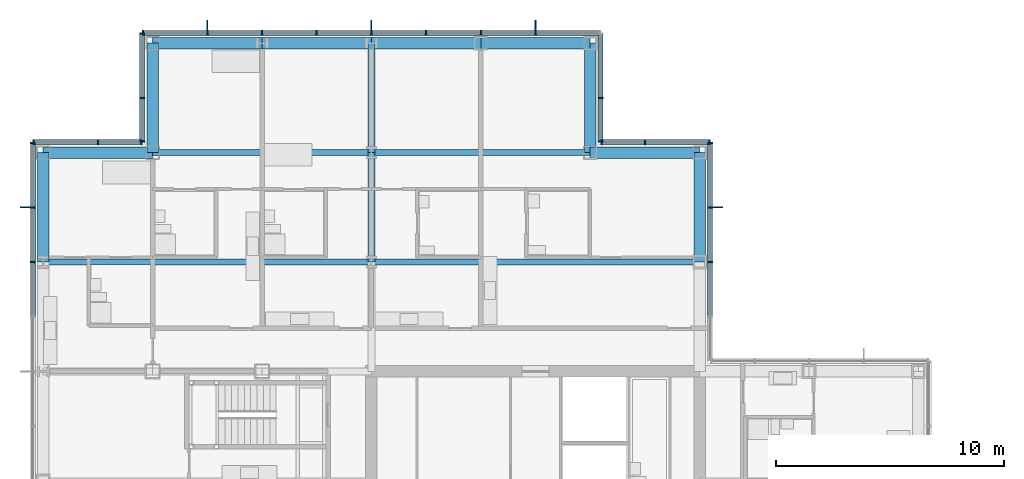
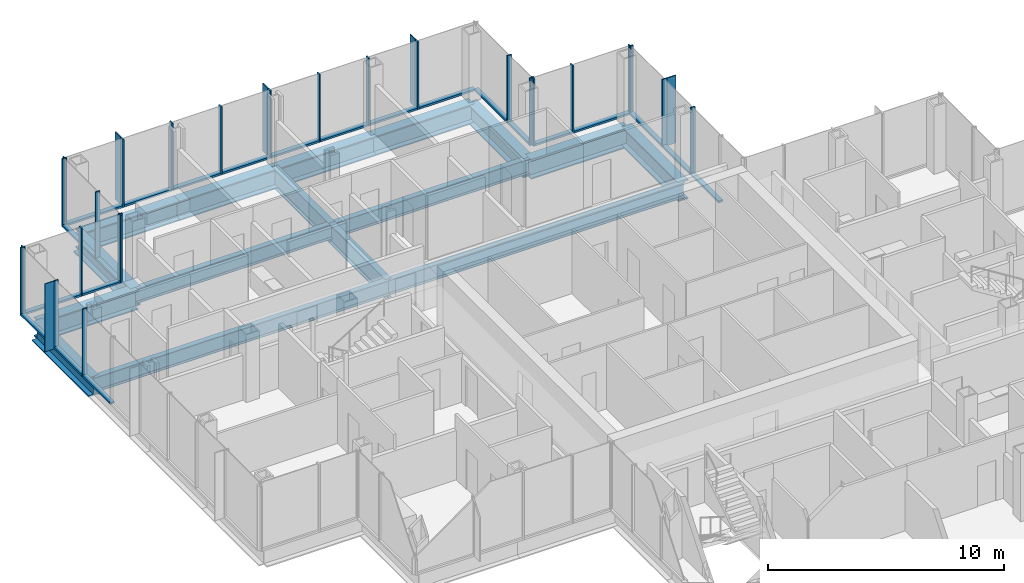
# One storey, part 10 of 20: 52 members, 16 beams, 7 elements without a shape of their own.
"""IFC4 building model written with IfcOpenShell, lengths in metres."""

from ifc_helpers import new_model, si_unit, direction, frame, origin, origin_2d, place, context, subcontext, project, spatial, rectangle, i_section, extrude, material, material_profile, profile_set, type_object, element, aggregate, save


model = new_model("IFC4")

# Units and contexts
model_context = context("Model", 3, precision=1e-05, world=origin(), true_north=direction((0.0, 1.0)))
body_context = subcontext(model_context, "Body", "Model", "MODEL_VIEW")
ifc_project = project(units=[si_unit("LENGTHUNIT", "METRE"), si_unit("AREAUNIT", "SQUARE_METRE"), si_unit("VOLUMEUNIT", "CUBIC_METRE"), si_unit("PLANEANGLEUNIT", "RADIAN"), si_unit("MASSUNIT", "GRAM", prefix="KILO")], contexts=[model_context])

# Site, building, storey
site_placement = place(None, origin())
site = spatial("IfcSite", under=ifc_project, at=site_placement, CompositionType="ELEMENT")
building_placement = place(site_placement, origin())
building = spatial("IfcBuilding", under=site, at=building_placement, Name="Kvirike Care Tower", CompositionType="ELEMENT")
storey_placement = place(building_placement, frame((0.0, 0.0, 112.0)))
storey = spatial("IfcBuildingStorey", under=building, at=storey_placement, Name="L30", CompositionType="ELEMENT", Elevation=112.0)

# Curtain wall, member
ifc_material_1 = material(Name="Anodised aluminium stick system", Category="aluminium")
curtain_wall_type = type_object("IfcCurtainWallType", Name="CW-B STICK CURTAIN WALL", PredefinedType="NOTDEFINED", material=ifc_material_1)
curtain_wall_1_placement = place(storey_placement, origin())
curtain_wall_1 = element("IfcCurtainWall", 1, at=curtain_wall_1_placement, inside=storey, type_object=curtain_wall_type, Name="Curtain wall L30 face 5", PredefinedType="NOTDEFINED")
ifc_material_2 = material(Name="Bronze anodised aluminium fin", Category="aluminium")
ifc_material_profile_1 = material_profile(ifc_material_2, rectangle(XDim=0.050048828125, YDim=0.449951171875, at=origin_2d()), Name="BRONZE FIN 450")
ifc_profile_set_1 = profile_set([ifc_material_profile_1], Name="Bronze anodised aluminium fin")
member_type_1 = type_object("IfcMemberType", Name="BRONZE FIN 450", PredefinedType="USERDEFINED", material=ifc_profile_set_1)
member_1_placement = place(storey_placement, frame((29.594970703125, 50.39990234375, 0.0), z_axis=(0.0, 0.0, 1.0), x_axis=(0.0, 1.0, 0.0)))
member_1 = element("IfcMember", 2, at=member_1_placement, type_object=member_type_1, Name="Bronze fin L30 face 5.4", ObjectType="FIN", PredefinedType="USERDEFINED", context=body_context, shape_type="SweptSolid", body=[
    extrude(rectangle(XDim=0.050048828125, YDim=0.449951171875, at=origin_2d()), origin(), (0.0, 0.0, 1.0), 3.5),
])

# Curtain wall, members
curtain_wall_2_placement = place(storey_placement, origin())
curtain_wall_2 = element("IfcCurtainWall", 3, at=curtain_wall_2_placement, inside=storey, type_object=curtain_wall_type, Name="Curtain wall L30 face 8", PredefinedType="NOTDEFINED")
member_2_placement = place(storey_placement, frame((21.60009765625, 58.39501953125, 0.0), z_axis=(0.0, 0.0, 1.0), x_axis=(-1.0, 0.0, 0.0)))
member_2 = element("IfcMember", 4, at=member_2_placement, type_object=member_type_1, Name="Bronze fin L30 face 8.2", ObjectType="FIN", PredefinedType="USERDEFINED", context=body_context, shape_type="SweptSolid", body=[
    extrude(rectangle(XDim=0.050048828125, YDim=0.449951171875, at=origin_2d()), origin(), (0.0, 0.0, 1.0), 3.5),
])
member_3_placement = place(storey_placement, frame((14.39990234375, 58.39501953125, 0.0), z_axis=(0.0, 0.0, 1.0), x_axis=(-1.0, 0.0, 0.0)))
member_3 = element("IfcMember", 5, at=member_3_placement, type_object=member_type_1, Name="Bronze fin L30 face 8.5", ObjectType="FIN", PredefinedType="USERDEFINED", context=body_context, shape_type="SweptSolid", body=[
    extrude(rectangle(XDim=0.050048828125, YDim=0.449951171875, at=origin_2d()), origin(), (0.0, 0.0, 1.0), 3.5),
])
member_4_placement = place(storey_placement, frame((7.199951171875, 58.39501953125, 0.0), z_axis=(0.0, 0.0, 1.0), x_axis=(-1.0, 0.0, 0.0)))
member_4 = element("IfcMember", 6, at=member_4_placement, type_object=member_type_1, Name="Bronze fin L30 face 8.8", ObjectType="FIN", PredefinedType="USERDEFINED", context=body_context, shape_type="SweptSolid", body=[
    extrude(rectangle(XDim=0.050048828125, YDim=0.449951171875, at=origin_2d()), origin(), (0.0, 0.0, 1.0), 3.5),
])

# Curtain wall, member
curtain_wall_3_placement = place(storey_placement, origin())
curtain_wall_3 = element("IfcCurtainWall", 7, at=curtain_wall_3_placement, inside=storey, type_object=curtain_wall_type, Name="Curtain wall L30 face 11", PredefinedType="NOTDEFINED")
member_5_placement = place(storey_placement, frame((-0.794921875, 50.39990234375, 0.0), z_axis=(0.0, 0.0, 1.0), x_axis=(0.0, -1.0, 0.0)))
member_5 = element("IfcMember", 8, at=member_5_placement, type_object=member_type_1, Name="Bronze fin L30 face 11.2", ObjectType="FIN", PredefinedType="USERDEFINED", context=body_context, shape_type="SweptSolid", body=[
    extrude(rectangle(XDim=0.050048828125, YDim=0.449951171875, at=origin_2d()), origin(), (0.0, 0.0, 1.0), 3.5),
])

# Member
ifc_material_3 = material(Name="Bronze anodised aluminium mullion", Category="aluminium")
ifc_material_profile_2 = material_profile(ifc_material_3, rectangle(XDim=0.06494140625, YDim=0.219970703125, at=origin_2d()), Name="CW-B MULLION 65x220")
ifc_profile_set_2 = profile_set([ifc_material_profile_2], Name="Bronze anodised aluminium mullion")
member_type_2 = type_object("IfcMemberType", Name="CW-B MULLION 65x220", PredefinedType="MULLION", material=ifc_profile_set_2)
member_6_placement = place(storey_placement, frame((29.260009765625, 48.0, 0.0), z_axis=(0.0, 0.0, 1.0), x_axis=(0.0, 1.0, 0.0)))
member_6 = element("IfcMember", 9, at=member_6_placement, type_object=member_type_2, Name="CW-B mullion L30 face 5.3", PredefinedType="MULLION", context=body_context, shape_type="SweptSolid", body=[
    extrude(rectangle(XDim=0.06494140625, YDim=0.219970703125, at=origin_2d()), origin(), (0.0, 0.0, 1.0), 3.5),
])

member_7_placement = place(storey_placement, frame((29.260009765625, 50.39990234375, 0.0), z_axis=(0.0, 0.0, 1.0), x_axis=(0.0, 1.0, 0.0)))
member_7 = element("IfcMember", 10, at=member_7_placement, type_object=member_type_2, Name="CW-B mullion L30 face 5.4", PredefinedType="MULLION", context=body_context, shape_type="SweptSolid", body=[
    extrude(rectangle(XDim=0.06494140625, YDim=0.219970703125, at=origin_2d()), origin(), (0.0, 0.0, 1.0), 3.5),
])

member_8_placement = place(storey_placement, frame((29.260009765625, 53.2275390625, 0.0), z_axis=(0.0, 0.0, 1.0), x_axis=(0.0, 1.0, 0.0)))
member_8 = element("IfcMember", 11, at=member_8_placement, type_object=member_type_2, Name="CW-B mullion L30 face 5.5", PredefinedType="MULLION", context=body_context, shape_type="SweptSolid", body=[
    extrude(rectangle(XDim=0.06494140625, YDim=0.219970703125, at=origin_2d()), origin(), (0.0, 0.0, 1.0), 3.5),
])

# Curtain wall, members
curtain_wall_4_placement = place(storey_placement, origin())
curtain_wall_4 = element("IfcCurtainWall", 12, at=curtain_wall_4_placement, inside=storey, type_object=curtain_wall_type, Name="Curtain wall L30 face 6", PredefinedType="NOTDEFINED")
member_9_placement = place(storey_placement, frame((29.2275390625, 53.260009765625, 0.0), z_axis=(0.0, 0.0, 1.0), x_axis=(-1.0, 0.0, 0.0)))
member_9 = element("IfcMember", 13, at=member_9_placement, type_object=member_type_2, Name="CW-B mullion L30 face 6.1", PredefinedType="MULLION", context=body_context, shape_type="SweptSolid", body=[
    extrude(rectangle(XDim=0.06494140625, YDim=0.219970703125, at=origin_2d()), origin(), (0.0, 0.0, 1.0), 3.5),
])
member_10_placement = place(storey_placement, frame((26.39990234375, 53.260009765625, 0.0), z_axis=(0.0, 0.0, 1.0), x_axis=(-1.0, 0.0, 0.0)))
member_10 = element("IfcMember", 14, at=member_10_placement, type_object=member_type_2, Name="CW-B mullion L30 face 6.2", PredefinedType="MULLION", context=body_context, shape_type="SweptSolid", body=[
    extrude(rectangle(XDim=0.06494140625, YDim=0.219970703125, at=origin_2d()), origin(), (0.0, 0.0, 1.0), 3.5),
])
member_11_placement = place(storey_placement, frame((24.492431640625, 53.260009765625, 0.0), z_axis=(0.0, 0.0, 1.0), x_axis=(-1.0, 0.0, 0.0)))
member_11 = element("IfcMember", 15, at=member_11_placement, type_object=member_type_2, Name="CW-B mullion L30 face 6.3", PredefinedType="MULLION", context=body_context, shape_type="SweptSolid", body=[
    extrude(rectangle(XDim=0.06494140625, YDim=0.219970703125, at=origin_2d()), origin(), (0.0, 0.0, 1.0), 3.5),
])

curtain_wall_5_placement = place(storey_placement, origin())
curtain_wall_5 = element("IfcCurtainWall", 16, at=curtain_wall_5_placement, inside=storey, type_object=curtain_wall_type, Name="Curtain wall L30 face 7", PredefinedType="NOTDEFINED")
member_12_placement = place(storey_placement, frame((24.4599609375, 53.29248046875, 0.0), z_axis=(0.0, 0.0, 1.0), x_axis=(0.0, 1.0, 0.0)))
member_12 = element("IfcMember", 17, at=member_12_placement, type_object=member_type_2, Name="CW-B mullion L30 face 7.1", PredefinedType="MULLION", context=body_context, shape_type="SweptSolid", body=[
    extrude(rectangle(XDim=0.06494140625, YDim=0.219970703125, at=origin_2d()), origin(), (0.0, 0.0, 1.0), 3.5),
])
member_13_placement = place(storey_placement, frame((24.4599609375, 55.199951171875, 0.0), z_axis=(0.0, 0.0, 1.0), x_axis=(0.0, 1.0, 0.0)))
member_13 = element("IfcMember", 18, at=member_13_placement, type_object=member_type_2, Name="CW-B mullion L30 face 7.2", PredefinedType="MULLION", context=body_context, shape_type="SweptSolid", body=[
    extrude(rectangle(XDim=0.06494140625, YDim=0.219970703125, at=origin_2d()), origin(), (0.0, 0.0, 1.0), 3.5),
])

# Member
member_14_placement = place(storey_placement, frame((21.60009765625, 58.06005859375, 0.0), z_axis=(0.0, 0.0, 1.0), x_axis=(-1.0, 0.0, 0.0)))
member_14 = element("IfcMember", 19, at=member_14_placement, type_object=member_type_2, Name="CW-B mullion L30 face 8.2", PredefinedType="MULLION", context=body_context, shape_type="SweptSolid", body=[
    extrude(rectangle(XDim=0.06494140625, YDim=0.219970703125, at=origin_2d()), origin(), (0.0, 0.0, 1.0), 3.5),
])

member_15_placement = place(storey_placement, frame((19.199951171875, 58.06005859375, 0.0), z_axis=(0.0, 0.0, 1.0), x_axis=(-1.0, 0.0, 0.0)))
member_15 = element("IfcMember", 20, at=member_15_placement, type_object=member_type_2, Name="CW-B mullion L30 face 8.3", PredefinedType="MULLION", context=body_context, shape_type="SweptSolid", body=[
    extrude(rectangle(XDim=0.06494140625, YDim=0.219970703125, at=origin_2d()), origin(), (0.0, 0.0, 1.0), 3.5),
])

member_16_placement = place(storey_placement, frame((16.800048828125, 58.06005859375, 0.0), z_axis=(0.0, 0.0, 1.0), x_axis=(-1.0, 0.0, 0.0)))
member_16 = element("IfcMember", 21, at=member_16_placement, type_object=member_type_2, Name="CW-B mullion L30 face 8.4", PredefinedType="MULLION", context=body_context, shape_type="SweptSolid", body=[
    extrude(rectangle(XDim=0.06494140625, YDim=0.219970703125, at=origin_2d()), origin(), (0.0, 0.0, 1.0), 3.5),
])

member_17_placement = place(storey_placement, frame((14.39990234375, 58.06005859375, 0.0), z_axis=(0.0, 0.0, 1.0), x_axis=(-1.0, 0.0, 0.0)))
member_17 = element("IfcMember", 22, at=member_17_placement, type_object=member_type_2, Name="CW-B mullion L30 face 8.5", PredefinedType="MULLION", context=body_context, shape_type="SweptSolid", body=[
    extrude(rectangle(XDim=0.06494140625, YDim=0.219970703125, at=origin_2d()), origin(), (0.0, 0.0, 1.0), 3.5),
])

member_18_placement = place(storey_placement, frame((12.0, 58.06005859375, 0.0), z_axis=(0.0, 0.0, 1.0), x_axis=(-1.0, 0.0, 0.0)))
member_18 = element("IfcMember", 23, at=member_18_placement, type_object=member_type_2, Name="CW-B mullion L30 face 8.6", PredefinedType="MULLION", context=body_context, shape_type="SweptSolid", body=[
    extrude(rectangle(XDim=0.06494140625, YDim=0.219970703125, at=origin_2d()), origin(), (0.0, 0.0, 1.0), 3.5),
])

member_19_placement = place(storey_placement, frame((9.60009765625, 58.06005859375, 0.0), z_axis=(0.0, 0.0, 1.0), x_axis=(-1.0, 0.0, 0.0)))
member_19 = element("IfcMember", 24, at=member_19_placement, type_object=member_type_2, Name="CW-B mullion L30 face 8.7", PredefinedType="MULLION", context=body_context, shape_type="SweptSolid", body=[
    extrude(rectangle(XDim=0.06494140625, YDim=0.219970703125, at=origin_2d()), origin(), (0.0, 0.0, 1.0), 3.5),
])

member_20_placement = place(storey_placement, frame((7.199951171875, 58.06005859375, 0.0), z_axis=(0.0, 0.0, 1.0), x_axis=(-1.0, 0.0, 0.0)))
member_20 = element("IfcMember", 25, at=member_20_placement, type_object=member_type_2, Name="CW-B mullion L30 face 8.8", PredefinedType="MULLION", context=body_context, shape_type="SweptSolid", body=[
    extrude(rectangle(XDim=0.06494140625, YDim=0.219970703125, at=origin_2d()), origin(), (0.0, 0.0, 1.0), 3.5),
])

member_21_placement = place(storey_placement, frame((4.37255859375, 58.06005859375, 0.0), z_axis=(0.0, 0.0, 1.0), x_axis=(-1.0, 0.0, 0.0)))
member_21 = element("IfcMember", 26, at=member_21_placement, type_object=member_type_2, Name="CW-B mullion L30 face 8.9", PredefinedType="MULLION", context=body_context, shape_type="SweptSolid", body=[
    extrude(rectangle(XDim=0.06494140625, YDim=0.219970703125, at=origin_2d()), origin(), (0.0, 0.0, 1.0), 3.5),
])

# Curtain wall, members
curtain_wall_6_placement = place(storey_placement, origin())
curtain_wall_6 = element("IfcCurtainWall", 27, at=curtain_wall_6_placement, inside=storey, type_object=curtain_wall_type, Name="Curtain wall L30 face 9", PredefinedType="NOTDEFINED")
member_22_placement = place(storey_placement, frame((4.340087890625, 58.027587890625, 0.0), z_axis=(0.0, 0.0, 1.0), x_axis=(0.0, -1.0, 0.0)))
member_22 = element("IfcMember", 28, at=member_22_placement, type_object=member_type_2, Name="CW-B mullion L30 face 9.1", PredefinedType="MULLION", context=body_context, shape_type="SweptSolid", body=[
    extrude(rectangle(XDim=0.06494140625, YDim=0.219970703125, at=origin_2d()), origin(), (0.0, 0.0, 1.0), 3.5),
])
member_23_placement = place(storey_placement, frame((4.340087890625, 55.199951171875, 0.0), z_axis=(0.0, 0.0, 1.0), x_axis=(0.0, -1.0, 0.0)))
member_23 = element("IfcMember", 29, at=member_23_placement, type_object=member_type_2, Name="CW-B mullion L30 face 9.2", PredefinedType="MULLION", context=body_context, shape_type="SweptSolid", body=[
    extrude(rectangle(XDim=0.06494140625, YDim=0.219970703125, at=origin_2d()), origin(), (0.0, 0.0, 1.0), 3.5),
])
member_24_placement = place(storey_placement, frame((4.340087890625, 53.29248046875, 0.0), z_axis=(0.0, 0.0, 1.0), x_axis=(0.0, -1.0, 0.0)))
member_24 = element("IfcMember", 30, at=member_24_placement, type_object=member_type_2, Name="CW-B mullion L30 face 9.3", PredefinedType="MULLION", context=body_context, shape_type="SweptSolid", body=[
    extrude(rectangle(XDim=0.06494140625, YDim=0.219970703125, at=origin_2d()), origin(), (0.0, 0.0, 1.0), 3.5),
])

curtain_wall_7_placement = place(storey_placement, origin())
curtain_wall_7 = element("IfcCurtainWall", 31, at=curtain_wall_7_placement, inside=storey, type_object=curtain_wall_type, Name="Curtain wall L30 face 10", PredefinedType="NOTDEFINED")
member_25_placement = place(storey_placement, frame((4.3076171875, 53.260009765625, 0.0), z_axis=(0.0, 0.0, 1.0), x_axis=(-1.0, 0.0, 0.0)))
member_25 = element("IfcMember", 32, at=member_25_placement, type_object=member_type_2, Name="CW-B mullion L30 face 10.1", PredefinedType="MULLION", context=body_context, shape_type="SweptSolid", body=[
    extrude(rectangle(XDim=0.06494140625, YDim=0.219970703125, at=origin_2d()), origin(), (0.0, 0.0, 1.0), 3.5),
])
member_26_placement = place(storey_placement, frame((2.39990234375, 53.260009765625, 0.0), z_axis=(0.0, 0.0, 1.0), x_axis=(-1.0, 0.0, 0.0)))
member_26 = element("IfcMember", 33, at=member_26_placement, type_object=member_type_2, Name="CW-B mullion L30 face 10.2", PredefinedType="MULLION", context=body_context, shape_type="SweptSolid", body=[
    extrude(rectangle(XDim=0.06494140625, YDim=0.219970703125, at=origin_2d()), origin(), (0.0, 0.0, 1.0), 3.5),
])
member_27_placement = place(storey_placement, frame((-0.427490234375, 53.260009765625, 0.0), z_axis=(0.0, 0.0, 1.0), x_axis=(-1.0, 0.0, 0.0)))
member_27 = element("IfcMember", 34, at=member_27_placement, type_object=member_type_2, Name="CW-B mullion L30 face 10.3", PredefinedType="MULLION", context=body_context, shape_type="SweptSolid", body=[
    extrude(rectangle(XDim=0.06494140625, YDim=0.219970703125, at=origin_2d()), origin(), (0.0, 0.0, 1.0), 3.5),
])

# Member
member_28_placement = place(storey_placement, frame((-0.4599609375, 53.2275390625, 0.0), z_axis=(0.0, 0.0, 1.0), x_axis=(0.0, -1.0, 0.0)))
member_28 = element("IfcMember", 35, at=member_28_placement, type_object=member_type_2, Name="CW-B mullion L30 face 11.1", PredefinedType="MULLION", context=body_context, shape_type="SweptSolid", body=[
    extrude(rectangle(XDim=0.06494140625, YDim=0.219970703125, at=origin_2d()), origin(), (0.0, 0.0, 1.0), 3.5),
])

member_29_placement = place(storey_placement, frame((-0.4599609375, 50.39990234375, 0.0), z_axis=(0.0, 0.0, 1.0), x_axis=(0.0, -1.0, 0.0)))
member_29 = element("IfcMember", 36, at=member_29_placement, type_object=member_type_2, Name="CW-B mullion L30 face 11.2", PredefinedType="MULLION", context=body_context, shape_type="SweptSolid", body=[
    extrude(rectangle(XDim=0.06494140625, YDim=0.219970703125, at=origin_2d()), origin(), (0.0, 0.0, 1.0), 3.5),
])

member_30_placement = place(storey_placement, frame((-0.4599609375, 48.0, 0.0), z_axis=(0.0, 0.0, 1.0), x_axis=(0.0, -1.0, 0.0)))
member_30 = element("IfcMember", 37, at=member_30_placement, type_object=member_type_2, Name="CW-B mullion L30 face 11.3", PredefinedType="MULLION", context=body_context, shape_type="SweptSolid", body=[
    extrude(rectangle(XDim=0.06494140625, YDim=0.219970703125, at=origin_2d()), origin(), (0.0, 0.0, 1.0), 3.5),
])

ifc_material_4 = material(Name="Bronze anodised aluminium transom", Category="aluminium")
ifc_material_profile_3 = material_profile(ifc_material_4, rectangle(XDim=0.219970703125, YDim=0.10009765625, at=origin_2d()), Name="CW-B TRANSOM 220x100")
ifc_profile_set_3 = profile_set([ifc_material_profile_3], Name="Bronze anodised aluminium transom")
member_type_3 = type_object("IfcMemberType", Name="CW-B TRANSOM 220x100", PredefinedType="USERDEFINED", material=ifc_profile_set_3)
member_31_placement = place(storey_placement, frame((29.260009765625, 45.632568359375, 0.050048828125), z_axis=(0.0, 1.0, 0.0), x_axis=(-1.0, 0.0, 0.0)))
member_31 = element("IfcMember", 38, at=member_31_placement, type_object=member_type_3, Name="CW-B sill transom L30 face 5.2", ObjectType="TRANSOM", PredefinedType="USERDEFINED", context=body_context, shape_type="SweptSolid", body=[
    extrude(rectangle(XDim=0.219970703125, YDim=0.10009765625, at=origin_2d()), origin(), (0.0, 0.0, 1.0), 2.3349609375),
])

member_32_placement = place(storey_placement, frame((29.260009765625, 48.032470703125, 0.050048828125), z_axis=(0.0, 1.0, 0.0), x_axis=(-1.0, 0.0, 0.0)))
member_32 = element("IfcMember", 39, at=member_32_placement, type_object=member_type_3, Name="CW-B sill transom L30 face 5.3", ObjectType="TRANSOM", PredefinedType="USERDEFINED", context=body_context, shape_type="SweptSolid", body=[
    extrude(rectangle(XDim=0.219970703125, YDim=0.10009765625, at=origin_2d()), origin(), (0.0, 0.0, 1.0), 2.3349609375),
])

member_33_placement = place(storey_placement, frame((29.260009765625, 50.4326171875, 0.050048828125), z_axis=(0.0, 1.0, 0.0), x_axis=(-1.0, 0.0, 0.0)))
member_33 = element("IfcMember", 40, at=member_33_placement, type_object=member_type_3, Name="CW-B sill transom L30 face 5.4", ObjectType="TRANSOM", PredefinedType="USERDEFINED", context=body_context, shape_type="SweptSolid", body=[
    extrude(rectangle(XDim=0.219970703125, YDim=0.10009765625, at=origin_2d()), origin(), (0.0, 0.0, 1.0), 2.762451171875),
])

aggregate(curtain_wall_1, [member_6, member_7, member_1, member_8, member_31, member_32, member_33])

member_34_placement = place(storey_placement, frame((29.195068359375, 53.260009765625, 0.050048828125), z_axis=(-1.0, 0.0, 0.0), x_axis=(0.0, -1.0, 0.0)))
member_34 = element("IfcMember", 41, at=member_34_placement, type_object=member_type_3, Name="CW-B sill transom L30 face 6.1", ObjectType="TRANSOM", PredefinedType="USERDEFINED", context=body_context, shape_type="SweptSolid", body=[
    extrude(rectangle(XDim=0.219970703125, YDim=0.10009765625, at=origin_2d()), origin(), (0.0, 0.0, 1.0), 2.762451171875),
])

member_35_placement = place(storey_placement, frame((26.367431640625, 53.260009765625, 0.050048828125), z_axis=(-1.0, 0.0, 0.0), x_axis=(0.0, -1.0, 0.0)))
member_35 = element("IfcMember", 42, at=member_35_placement, type_object=member_type_3, Name="CW-B sill transom L30 face 6.2", ObjectType="TRANSOM", PredefinedType="USERDEFINED", context=body_context, shape_type="SweptSolid", body=[
    extrude(rectangle(XDim=0.219970703125, YDim=0.10009765625, at=origin_2d()), origin(), (0.0, 0.0, 1.0), 1.842529296875),
])

aggregate(curtain_wall_4, [member_9, member_10, member_11, member_34, member_35])

member_36_placement = place(storey_placement, frame((24.4599609375, 53.324951171875, 0.050048828125), z_axis=(0.0, 1.0, 0.0), x_axis=(-1.0, 0.0, 0.0)))
member_36 = element("IfcMember", 43, at=member_36_placement, type_object=member_type_3, Name="CW-B sill transom L30 face 7.1", ObjectType="TRANSOM", PredefinedType="USERDEFINED", context=body_context, shape_type="SweptSolid", body=[
    extrude(rectangle(XDim=0.219970703125, YDim=0.10009765625, at=origin_2d()), origin(), (0.0, 0.0, 1.0), 1.842529296875),
])

member_37_placement = place(storey_placement, frame((24.4599609375, 55.232421875, 0.050048828125), z_axis=(0.0, 1.0, 0.0), x_axis=(-1.0, 0.0, 0.0)))
member_37 = element("IfcMember", 44, at=member_37_placement, type_object=member_type_3, Name="CW-B sill transom L30 face 7.2", ObjectType="TRANSOM", PredefinedType="USERDEFINED", context=body_context, shape_type="SweptSolid", body=[
    extrude(rectangle(XDim=0.219970703125, YDim=0.10009765625, at=origin_2d()), origin(), (0.0, 0.0, 1.0), 2.7626953125),
])

aggregate(curtain_wall_5, [member_12, member_13, member_36, member_37])

member_38_placement = place(storey_placement, frame((24.39501953125, 58.06005859375, 0.050048828125), z_axis=(-1.0, 0.0, 0.0), x_axis=(0.0, -1.0, 0.0)))
member_38 = element("IfcMember", 45, at=member_38_placement, type_object=member_type_3, Name="CW-B sill transom L30 face 8.1", ObjectType="TRANSOM", PredefinedType="USERDEFINED", context=body_context, shape_type="SweptSolid", body=[
    extrude(rectangle(XDim=0.219970703125, YDim=0.10009765625, at=origin_2d()), origin(), (0.0, 0.0, 1.0), 2.762451171875),
])

member_39_placement = place(storey_placement, frame((21.5673828125, 58.06005859375, 0.050048828125), z_axis=(-1.0, 0.0, 0.0), x_axis=(0.0, -1.0, 0.0)))
member_39 = element("IfcMember", 46, at=member_39_placement, type_object=member_type_3, Name="CW-B sill transom L30 face 8.2", ObjectType="TRANSOM", PredefinedType="USERDEFINED", context=body_context, shape_type="SweptSolid", body=[
    extrude(rectangle(XDim=0.219970703125, YDim=0.10009765625, at=origin_2d()), origin(), (0.0, 0.0, 1.0), 2.3349609375),
])

member_40_placement = place(storey_placement, frame((19.16748046875, 58.06005859375, 0.050048828125), z_axis=(-1.0, 0.0, 0.0), x_axis=(0.0, -1.0, 0.0)))
member_40 = element("IfcMember", 47, at=member_40_placement, type_object=member_type_3, Name="CW-B sill transom L30 face 8.3", ObjectType="TRANSOM", PredefinedType="USERDEFINED", context=body_context, shape_type="SweptSolid", body=[
    extrude(rectangle(XDim=0.219970703125, YDim=0.10009765625, at=origin_2d()), origin(), (0.0, 0.0, 1.0), 2.3349609375),
])

member_41_placement = place(storey_placement, frame((16.767578125, 58.06005859375, 0.050048828125), z_axis=(-1.0, 0.0, 0.0), x_axis=(0.0, -1.0, 0.0)))
member_41 = element("IfcMember", 48, at=member_41_placement, type_object=member_type_3, Name="CW-B sill transom L30 face 8.4", ObjectType="TRANSOM", PredefinedType="USERDEFINED", context=body_context, shape_type="SweptSolid", body=[
    extrude(rectangle(XDim=0.219970703125, YDim=0.10009765625, at=origin_2d()), origin(), (0.0, 0.0, 1.0), 2.3349609375),
])

member_42_placement = place(storey_placement, frame((14.367431640625, 58.06005859375, 0.050048828125), z_axis=(-1.0, 0.0, 0.0), x_axis=(0.0, -1.0, 0.0)))
member_42 = element("IfcMember", 49, at=member_42_placement, type_object=member_type_3, Name="CW-B sill transom L30 face 8.5", ObjectType="TRANSOM", PredefinedType="USERDEFINED", context=body_context, shape_type="SweptSolid", body=[
    extrude(rectangle(XDim=0.219970703125, YDim=0.10009765625, at=origin_2d()), origin(), (0.0, 0.0, 1.0), 2.3349609375),
])

member_43_placement = place(storey_placement, frame((11.967529296875, 58.06005859375, 0.050048828125), z_axis=(-1.0, 0.0, 0.0), x_axis=(0.0, -1.0, 0.0)))
member_43 = element("IfcMember", 50, at=member_43_placement, type_object=member_type_3, Name="CW-B sill transom L30 face 8.6", ObjectType="TRANSOM", PredefinedType="USERDEFINED", context=body_context, shape_type="SweptSolid", body=[
    extrude(rectangle(XDim=0.219970703125, YDim=0.10009765625, at=origin_2d()), origin(), (0.0, 0.0, 1.0), 2.3349609375),
])

member_44_placement = place(storey_placement, frame((9.5673828125, 58.06005859375, 0.050048828125), z_axis=(-1.0, 0.0, 0.0), x_axis=(0.0, -1.0, 0.0)))
member_44 = element("IfcMember", 51, at=member_44_placement, type_object=member_type_3, Name="CW-B sill transom L30 face 8.7", ObjectType="TRANSOM", PredefinedType="USERDEFINED", context=body_context, shape_type="SweptSolid", body=[
    extrude(rectangle(XDim=0.219970703125, YDim=0.10009765625, at=origin_2d()), origin(), (0.0, 0.0, 1.0), 2.3349609375),
])

member_45_placement = place(storey_placement, frame((7.16748046875, 58.06005859375, 0.050048828125), z_axis=(-1.0, 0.0, 0.0), x_axis=(0.0, -1.0, 0.0)))
member_45 = element("IfcMember", 52, at=member_45_placement, type_object=member_type_3, Name="CW-B sill transom L30 face 8.8", ObjectType="TRANSOM", PredefinedType="USERDEFINED", context=body_context, shape_type="SweptSolid", body=[
    extrude(rectangle(XDim=0.219970703125, YDim=0.10009765625, at=origin_2d()), origin(), (0.0, 0.0, 1.0), 2.762451171875),
])

aggregate(curtain_wall_2, [member_14, member_2, member_15, member_16, member_17, member_3, member_18, member_19, member_20, member_4, member_21, member_38, member_39, member_40, member_41, member_42, member_43, member_44, member_45])

member_46_placement = place(storey_placement, frame((4.340087890625, 57.9951171875, 0.050048828125), z_axis=(0.0, -1.0, 0.0), x_axis=(1.0, 0.0, 0.0)))
member_46 = element("IfcMember", 53, at=member_46_placement, type_object=member_type_3, Name="CW-B sill transom L30 face 9.1", ObjectType="TRANSOM", PredefinedType="USERDEFINED", context=body_context, shape_type="SweptSolid", body=[
    extrude(rectangle(XDim=0.219970703125, YDim=0.10009765625, at=origin_2d()), origin(), (0.0, 0.0, 1.0), 2.7626953125),
])

member_47_placement = place(storey_placement, frame((4.340087890625, 55.16748046875, 0.050048828125), z_axis=(0.0, -1.0, 0.0), x_axis=(1.0, 0.0, 0.0)))
member_47 = element("IfcMember", 54, at=member_47_placement, type_object=member_type_3, Name="CW-B sill transom L30 face 9.2", ObjectType="TRANSOM", PredefinedType="USERDEFINED", context=body_context, shape_type="SweptSolid", body=[
    extrude(rectangle(XDim=0.219970703125, YDim=0.10009765625, at=origin_2d()), origin(), (0.0, 0.0, 1.0), 1.842529296875),
])

aggregate(curtain_wall_6, [member_22, member_23, member_24, member_46, member_47])

member_48_placement = place(storey_placement, frame((4.27490234375, 53.260009765625, 0.050048828125), z_axis=(-1.0, 0.0, 0.0), x_axis=(0.0, -1.0, 0.0)))
member_48 = element("IfcMember", 55, at=member_48_placement, type_object=member_type_3, Name="CW-B sill transom L30 face 10.1", ObjectType="TRANSOM", PredefinedType="USERDEFINED", context=body_context, shape_type="SweptSolid", body=[
    extrude(rectangle(XDim=0.219970703125, YDim=0.10009765625, at=origin_2d()), origin(), (0.0, 0.0, 1.0), 1.84228515625),
])

member_49_placement = place(storey_placement, frame((2.367431640625, 53.260009765625, 0.050048828125), z_axis=(-1.0, 0.0, 0.0), x_axis=(0.0, -1.0, 0.0)))
member_49 = element("IfcMember", 56, at=member_49_placement, type_object=member_type_3, Name="CW-B sill transom L30 face 10.2", ObjectType="TRANSOM", PredefinedType="USERDEFINED", context=body_context, shape_type="SweptSolid", body=[
    extrude(rectangle(XDim=0.219970703125, YDim=0.10009765625, at=origin_2d()), origin(), (0.0, 0.0, 1.0), 2.762451171875),
])

aggregate(curtain_wall_7, [member_25, member_26, member_27, member_48, member_49])

member_50_placement = place(storey_placement, frame((-0.4599609375, 53.195068359375, 0.050048828125), z_axis=(0.0, -1.0, 0.0), x_axis=(1.0, 0.0, 0.0)))
member_50 = element("IfcMember", 57, at=member_50_placement, type_object=member_type_3, Name="CW-B sill transom L30 face 11.1", ObjectType="TRANSOM", PredefinedType="USERDEFINED", context=body_context, shape_type="SweptSolid", body=[
    extrude(rectangle(XDim=0.219970703125, YDim=0.10009765625, at=origin_2d()), origin(), (0.0, 0.0, 1.0), 2.762451171875),
])

member_51_placement = place(storey_placement, frame((-0.4599609375, 50.367431640625, 0.050048828125), z_axis=(0.0, -1.0, 0.0), x_axis=(1.0, 0.0, 0.0)))
member_51 = element("IfcMember", 58, at=member_51_placement, type_object=member_type_3, Name="CW-B sill transom L30 face 11.2", ObjectType="TRANSOM", PredefinedType="USERDEFINED", context=body_context, shape_type="SweptSolid", body=[
    extrude(rectangle(XDim=0.219970703125, YDim=0.10009765625, at=origin_2d()), origin(), (0.0, 0.0, 1.0), 2.3349609375),
])

member_52_placement = place(storey_placement, frame((-0.4599609375, 47.967529296875, 0.050048828125), z_axis=(0.0, -1.0, 0.0), x_axis=(1.0, 0.0, 0.0)))
member_52 = element("IfcMember", 59, at=member_52_placement, type_object=member_type_3, Name="CW-B sill transom L30 face 11.3", ObjectType="TRANSOM", PredefinedType="USERDEFINED", context=body_context, shape_type="SweptSolid", body=[
    extrude(rectangle(XDim=0.219970703125, YDim=0.10009765625, at=origin_2d()), origin(), (0.0, 0.0, 1.0), 2.3349609375),
])

aggregate(curtain_wall_3, [member_28, member_29, member_5, member_30, member_50, member_51, member_52])

# Beams
ifc_material_5 = material(Name="Steel S355", Category="steel")
ifc_material_profile_4 = material_profile(ifc_material_5, i_section(OverallWidth=0.26806640625, OverallDepth=0.77001953125, WebThickness=0.015625, FlangeThickness=0.025390625, FilletRadius=0.01708984375, at=origin_2d()), Name="IPE 750x196")
ifc_profile_set_4 = profile_set([ifc_material_profile_4], Name="Steel S355")
beam_type_1 = type_object("IfcBeamType", Name="FLOOR BEAM IPE 750x196", PredefinedType="BEAM", material=ifc_profile_set_4)
beam_1_placement = place(storey_placement, frame((0.0, 48.0, -0.554931640625), z_axis=(1.0, 0.0, 0.0), x_axis=(0.0, 1.0, 0.0)))
element("IfcBeam", 60, at=beam_1_placement, inside=storey, type_object=beam_type_1, Name="Floor Beam L3-L6 L30", PredefinedType="BEAM", context=body_context, shape_type="SweptSolid", body=[
    extrude(i_section(OverallWidth=0.26806640625, OverallDepth=0.77001953125, WebThickness=0.015625, FlangeThickness=0.025390625, FilletRadius=0.01708984375, at=origin_2d()), origin(), (0.0, 0.0, 1.0), 14.39990234375),
])
beam_2_placement = place(storey_placement, frame((14.39990234375, 48.0, -0.554931640625), z_axis=(1.0, 0.0, 0.0), x_axis=(0.0, 1.0, 0.0)))
element("IfcBeam", 61, at=beam_2_placement, inside=storey, type_object=beam_type_1, Name="Floor Beam L6-L9 L30", PredefinedType="BEAM", context=body_context, shape_type="SweptSolid", body=[
    extrude(i_section(OverallWidth=0.26806640625, OverallDepth=0.77001953125, WebThickness=0.015625, FlangeThickness=0.025390625, FilletRadius=0.01708984375, at=origin_2d()), origin(), (0.0, 0.0, 1.0), 14.400146484375),
])
beam_3_placement = place(storey_placement, frame((4.800048828125, 52.800048828125, -0.554931640625), z_axis=(1.0, 0.0, 0.0), x_axis=(0.0, 1.0, 0.0)))
element("IfcBeam", 62, at=beam_3_placement, inside=storey, type_object=beam_type_1, Name="Floor Beam M4-M6 L30", PredefinedType="BEAM", context=body_context, shape_type="SweptSolid", body=[
    extrude(i_section(OverallWidth=0.26806640625, OverallDepth=0.77001953125, WebThickness=0.015625, FlangeThickness=0.025390625, FilletRadius=0.01708984375, at=origin_2d()), origin(), (0.0, 0.0, 1.0), 9.599853515625),
])
beam_4_placement = place(storey_placement, frame((14.39990234375, 52.800048828125, -0.554931640625), z_axis=(1.0, 0.0, 0.0), x_axis=(0.0, 1.0, 0.0)))
element("IfcBeam", 63, at=beam_4_placement, inside=storey, type_object=beam_type_1, Name="Floor Beam M6-M8 L30", PredefinedType="BEAM", context=body_context, shape_type="SweptSolid", body=[
    extrude(i_section(OverallWidth=0.26806640625, OverallDepth=0.77001953125, WebThickness=0.015625, FlangeThickness=0.025390625, FilletRadius=0.01708984375, at=origin_2d()), origin(), (0.0, 0.0, 1.0), 9.60009765625),
])
ifc_material_6 = material(Name="Steel S355", Category="steel")
ifc_material_profile_5 = material_profile(ifc_material_6, i_section(OverallWidth=0.300048828125, OverallDepth=1.0, WebThickness=0.01904296875, FlangeThickness=0.035888671875, FilletRadius=0.030029296875, at=origin_2d()), Name="HE 1000 B")
ifc_profile_set_5 = profile_set([ifc_material_profile_5], Name="Steel S355")
beam_type_2 = type_object("IfcBeamType", Name="FRAME BEAM HE 1000 B", PredefinedType="BEAM", material=ifc_profile_set_5)
for number, where, z_axis, x_axis, name in (
    (64, (14.39990234375, 48.0, -0.669921875), (0.0, 1.0, 0.0), (-1.0, 0.0, 0.0), "Frame Beam L6-M6 L30"),
    (65, (14.39990234375, 52.800048828125, -0.669921875), (0.0, 1.0, 0.0), (-1.0, 0.0, 0.0), "Frame Beam M6-N6 L30"),
):
    element("IfcBeam", number, at=place(storey_placement, frame(where, z_axis=z_axis, x_axis=x_axis)), inside=storey, type_object=beam_type_2, Name=name, PredefinedType="BEAM", context=body_context, shape_type="SweptSolid", body=[
        extrude(i_section(OverallWidth=0.300048828125, OverallDepth=1.0, WebThickness=0.01904296875, FlangeThickness=0.035888671875, FilletRadius=0.030029296875, at=origin_2d()), origin(), (0.0, 0.0, 1.0), 4.800048828125),
    ])
ifc_material_7 = material(Name="Steel S355", Category="steel")
ifc_material_profile_6 = material_profile(ifc_material_7, i_section(OverallWidth=0.5, OverallDepth=1.0, WebThickness=0.030029296875, FlangeThickness=0.06005859375, at=origin_2d()), Name="PG 1000x500x30x60")
ifc_profile_set_6 = profile_set([ifc_material_profile_6], Name="Steel S355")
beam_type_3 = type_object("IfcBeamType", Name="SPANDREL PG 1000x500x30x60", PredefinedType="SPANDREL", material=ifc_profile_set_6)
for number, where, z_axis, x_axis, name in (
    (66, (0.0, 52.800048828125, -0.669921875), (1.0, 0.0, 0.0), (0.0, 1.0, 0.0), "Spandrel M3-M4 L30"),
    (67, (24.0, 52.800048828125, -0.669921875), (1.0, 0.0, 0.0), (0.0, 1.0, 0.0), "Spandrel M8-M9 L30"),
    (68, (4.800048828125, 57.60009765625, -0.669921875), (1.0, 0.0, 0.0), (0.0, 1.0, 0.0), "Spandrel N4-N5 L30"),
):
    element("IfcBeam", number, at=place(storey_placement, frame(where, z_axis=z_axis, x_axis=x_axis)), inside=storey, type_object=beam_type_3, Name=name, PredefinedType="SPANDREL", context=body_context, shape_type="SweptSolid", body=[
        extrude(i_section(OverallWidth=0.5, OverallDepth=1.0, WebThickness=0.030029296875, FlangeThickness=0.06005859375, at=origin_2d()), origin(), (0.0, 0.0, 1.0), 4.800048828125),
    ])
beam_5_placement = place(storey_placement, frame((9.60009765625, 57.60009765625, -0.669921875), z_axis=(1.0, 0.0, 0.0), x_axis=(0.0, 1.0, 0.0)))
element("IfcBeam", 69, at=beam_5_placement, inside=storey, type_object=beam_type_3, Name="Spandrel N5-N6 L30", PredefinedType="SPANDREL", context=body_context, shape_type="SweptSolid", body=[
    extrude(i_section(OverallWidth=0.5, OverallDepth=1.0, WebThickness=0.030029296875, FlangeThickness=0.06005859375, at=origin_2d()), origin(), (0.0, 0.0, 1.0), 4.7998046875),
])
for number, where, z_axis, x_axis, name in (
    (70, (14.39990234375, 57.60009765625, -0.669921875), (1.0, 0.0, 0.0), (0.0, 1.0, 0.0), "Spandrel N6-N7 L30"),
    (71, (19.199951171875, 57.60009765625, -0.669921875), (1.0, 0.0, 0.0), (0.0, 1.0, 0.0), "Spandrel N7-N8 L30"),
    (72, (0.0, 48.0, -0.669921875), (0.0, 1.0, 0.0), (-1.0, 0.0, 0.0), "Spandrel L3-M3 L30"),
    (73, (4.800048828125, 52.800048828125, -0.669921875), (0.0, 1.0, 0.0), (-1.0, 0.0, 0.0), "Spandrel M4-N4 L30"),
    (74, (24.0, 52.800048828125, -0.669921875), (0.0, 1.0, 0.0), (-1.0, 0.0, 0.0), "Spandrel M8-N8 L30"),
    (75, (28.800048828125, 48.0, -0.669921875), (0.0, 1.0, 0.0), (-1.0, 0.0, 0.0), "Spandrel L9-M9 L30"),
):
    element("IfcBeam", number, at=place(storey_placement, frame(where, z_axis=z_axis, x_axis=x_axis)), inside=storey, type_object=beam_type_3, Name=name, PredefinedType="SPANDREL", context=body_context, shape_type="SweptSolid", body=[
        extrude(i_section(OverallWidth=0.5, OverallDepth=1.0, WebThickness=0.030029296875, FlangeThickness=0.06005859375, at=origin_2d()), origin(), (0.0, 0.0, 1.0), 4.800048828125),
    ])

save(model, "model.ifc")
